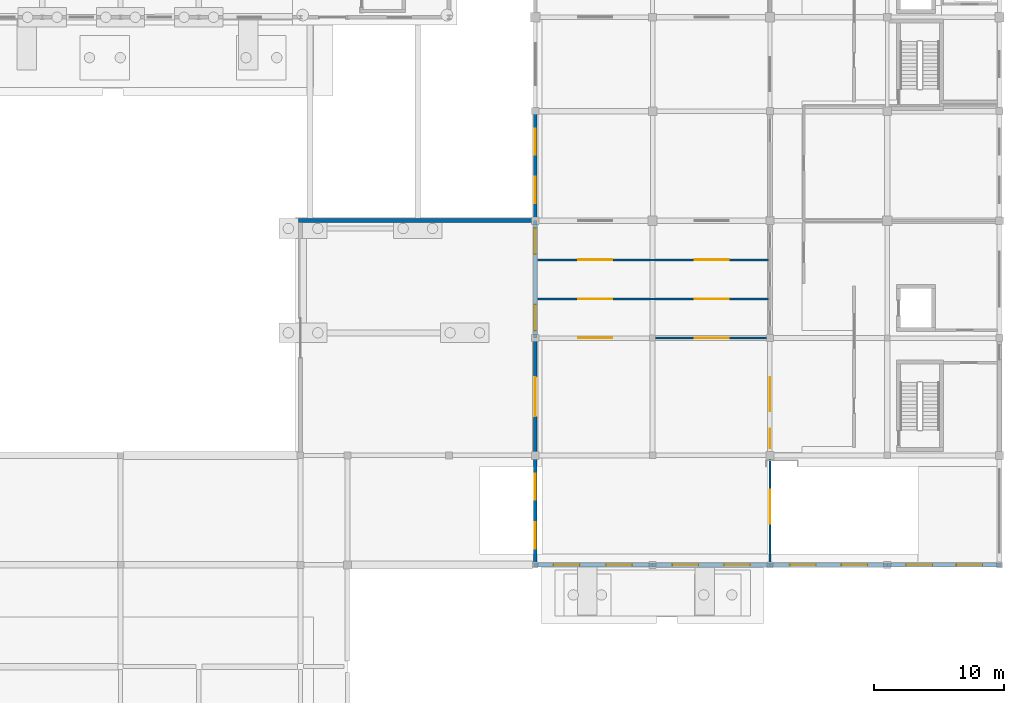
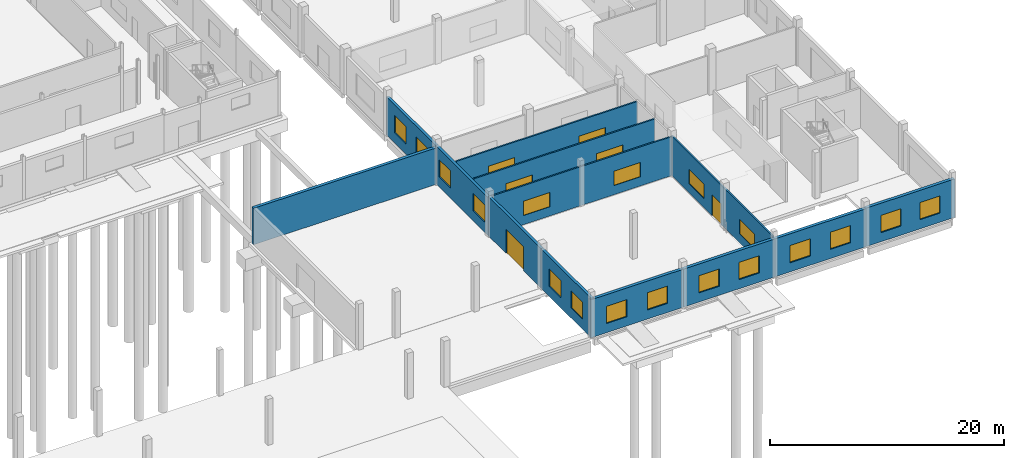
# One storey, part 73 of 91: 22 windows, 13 walls, 2 doors, 24 openings.
"""IFC4 building model written with IfcOpenShell, lengths in metres."""

import ifcopenshell
import ifcopenshell.guid

model = None  # the IFC model being written
_history = None  # IfcOwnerHistory: only IFC2X3 demands one
_inside = {}  # id of a spatial element -> (the spatial element, [elements in it])
_under = {}  # id of a project, library or spatial element -> (it, [spatial elements below it])
_declared = {}  # id of a project -> (the project, [libraries it declares])
_typed = {}  # id of a type object -> (the type object, [elements of that type])
_made_of = {}  # id of a material, layer set ... -> (it, [elements and type objects made of it])


def new_model(schema):
    """Start an empty IFC model of exactly this schema.

    Asked for "IFC4X3", IfcOpenShell would pick the latest addendum, in which some entities
    have other attributes; the version numbers below select the first issue.
    IFC2X3 requires an IfcOwnerHistory on every rooted entity: one is made here for all.
    """
    global model, _history
    if schema == "IFC4X3":
        model = ifcopenshell.file(schema_version=(4, 3, 0, 0))
    else:
        model = ifcopenshell.file(schema=schema)
    _inside.clear()
    _under.clear()
    _declared.clear()
    _typed.clear()
    _made_of.clear()
    _history = None
    if model.schema == "IFC2X3":
        org = make("IfcOrganization", Name="unknown")
        user = make(
            "IfcPersonAndOrganization",
            ThePerson=make("IfcPerson", FamilyName="unknown"),
            TheOrganization=org,
        )
        app = make(
            "IfcApplication",
            ApplicationDeveloper=org,
            Version="unknown",
            ApplicationFullName="unknown",
            ApplicationIdentifier="unknown",
        )
        _history = make(
            "IfcOwnerHistory",
            OwningUser=user,
            OwningApplication=app,
            ChangeAction="ADDED",
            CreationDate=0,
        )
    return model


def make(cls, **values):
    """One entity of the class cls with the attributes given. An attribute that is None is left unset."""
    return model.create_entity(
        cls, **{name: value for name, value in values.items() if value is not None}
    )


def rooted(cls, **values):
    """An entity with a GlobalId (a new one), such as an element, a storey or a relation."""
    return make(cls, GlobalId=ifcopenshell.guid.new(), OwnerHistory=_history, **values)


def si_unit(unit_type, name, prefix=None):
    """IfcSIUnit, for example si_unit("LENGTHUNIT", "METRE", prefix="MILLI")."""
    return make("IfcSIUnit", UnitType=unit_type, Prefix=prefix, Name=name)


def assignment(units):
    """IfcUnitAssignment: the units of a project."""
    return None if units is None else make("IfcUnitAssignment", Units=units)


def point(xyz):
    """IfcCartesianPoint."""
    return None if xyz is None else make("IfcCartesianPoint", Coordinates=xyz)


def direction(xyz):
    """IfcDirection."""
    return None if xyz is None else make("IfcDirection", DirectionRatios=xyz)


def frame(location, z_axis=None, x_axis=None):
    """IfcAxis2Placement3D, a coordinate frame: its origin and axes. An axis left out is left unset."""
    return make(
        "IfcAxis2Placement3D",
        Location=point(location),
        Axis=direction(z_axis),
        RefDirection=direction(x_axis),
    )


def frame_2d(location, x_axis=None):
    """IfcAxis2Placement2D, a coordinate frame in the plane: its origin and x axis."""
    return make(
        "IfcAxis2Placement2D", Location=point(location), RefDirection=direction(x_axis)
    )


def origin():
    """The frame at (0, 0, 0) with its axes left unset."""
    return frame((0.0, 0.0, 0.0))


def place(relative_to, where):
    """IfcLocalPlacement: puts the frame where relative to a parent placement (None: the world)."""
    return make(
        "IfcLocalPlacement", PlacementRelTo=relative_to, RelativePlacement=where
    )


def context(
    kind, dimensions, precision=None, world=None, true_north=None, identifier=None
):
    """IfcGeometricRepresentationContext, for example the 3D "Model" context."""
    return make(
        "IfcGeometricRepresentationContext",
        ContextIdentifier=identifier,
        ContextType=kind,
        CoordinateSpaceDimension=dimensions,
        Precision=precision,
        WorldCoordinateSystem=world,
        TrueNorth=true_north,
    )


def subcontext(parent, identifier, kind, view, scale=None):
    """IfcGeometricRepresentationSubContext, for example "Body" below "Model"."""
    return make(
        "IfcGeometricRepresentationSubContext",
        ContextIdentifier=identifier,
        ContextType=kind,
        ParentContext=parent,
        TargetScale=scale,
        TargetView=view,
    )


def project(units=None, contexts=None):
    """IfcProject with its units and contexts."""
    return rooted(
        "IfcProject",
        Name="project",
        RepresentationContexts=contexts,
        UnitsInContext=assignment(units),
    )


def spatial(cls, under=None, at=None, **own):
    """A site, building, storey or space (cls), placed at a placement, below another one or the project."""
    s = rooted(cls, ObjectPlacement=at, **own)
    if under is not None:
        _under.setdefault(under.id(), (under, []))[1].append(s)
    return s


def profile(cls, at=None, kind="AREA", **sizes):
    """A parametric profile (cls). Its sizes go by their IFC names, for example OverallWidth=200.0."""
    return make(cls, ProfileType=kind, Position=at, **sizes)


def rectangle(**sizes):
    """IfcRectangleProfileDef."""
    return profile("IfcRectangleProfileDef", **sizes)


def extrude(swept, where, along, depth):
    """IfcExtrudedAreaSolid: the profile swept, set in the frame where, extruded along a direction by depth."""
    return make(
        "IfcExtrudedAreaSolid",
        SweptArea=swept,
        Position=where,
        ExtrudedDirection=direction(along),
        Depth=depth,
    )


def shape(context_of_items, identifier, shape_type, items):
    """IfcShapeRepresentation: the items that make up one representation, for example the "Body"."""
    return make(
        "IfcShapeRepresentation",
        ContextOfItems=context_of_items,
        RepresentationIdentifier=identifier,
        RepresentationType=shape_type,
        Items=items,
    )


def material(Name=None, Category=None):
    """IfcMaterial."""
    return make("IfcMaterial", Name=Name, Category=Category)


def layer(
    of_material, thickness, ventilated=None, Name=None, Category=None, Priority=None
):
    """IfcMaterialLayer: one layer of a wall or slab, of a material (None: an air gap)."""
    return make(
        "IfcMaterialLayer",
        Material=of_material,
        LayerThickness=thickness,
        IsVentilated=ventilated,
        Name=Name,
        Category=Category,
        Priority=Priority,
    )


def layer_set(layers, Name=None):
    """IfcMaterialLayerSet."""
    return make("IfcMaterialLayerSet", MaterialLayers=layers, LayerSetName=Name)


def made_of(thing, what):
    """Note that an element or type object is made of a material, layer set ...; save() writes the relation."""
    if what is not None:
        _made_of.setdefault(what.id(), (what, []))[1].append(thing)
    return thing


def type_object(cls, material=None, **own):
    """A type object (cls), such as IfcWallType, which elements share."""
    return made_of(rooted(cls, **own), material)


def element(
    cls,
    number,
    at=None,
    inside=None,
    cuts=None,
    type_object=None,
    material=None,
    context=None,
    identifier="Body",
    shape_type=None,
    held_by="IfcProductDefinitionShape",
    body=None,
    shapes=None,
    **own,
):
    """One element of the class cls, such as IfcWall. Its Tag is "e" and its number.

    at: its placement. inside: the storey or other place that contains it. cuts: it is an
    opening in that element (IfcRelVoidsElement). A single representation is given by context,
    identifier, shape_type and body (its items); several are given by shapes. held_by: the class
    of the entity that holds the representations. save() writes the other relations.
    """
    e = rooted(cls, Tag="e%d" % number, ObjectPlacement=at, **own)
    if body is not None:
        shapes = [shape(context, identifier, shape_type, body)]
    if shapes is not None:
        e.Representation = make(held_by, Representations=shapes)
    if inside is not None:
        _inside.setdefault(inside.id(), (inside, []))[1].append(e)
    if cuts is not None:
        rooted(
            "IfcRelVoidsElement", RelatingBuildingElement=cuts, RelatedOpeningElement=e
        )
    if type_object is not None:
        _typed.setdefault(type_object.id(), (type_object, []))[1].append(e)
    return made_of(e, material)


def fill(opening, filler):
    """IfcRelFillsElement: the door or window that sits in an opening."""
    return rooted(
        "IfcRelFillsElement",
        RelatingOpeningElement=opening,
        RelatedBuildingElement=filler,
    )


def aggregate(whole, parts):
    """IfcRelAggregates: a whole, such as a stair, and the parts it consists of."""
    return rooted("IfcRelAggregates", RelatingObject=whole, RelatedObjects=parts)


def save(model, path):
    """Write the relations noted so far, then the file.

    IfcRelAggregates (storeys below a building ...), IfcRelContainedInSpatialStructure (elements
    in a storey), IfcRelDefinesByType, IfcRelAssociatesMaterial and IfcRelDeclares: one each for
    every whole, place, type object, material and project.
    """
    for whole, parts in _under.values():
        aggregate(whole, parts)
    for where, things in _inside.values():
        rooted(
            "IfcRelContainedInSpatialStructure",
            RelatedElements=things,
            RelatingStructure=where,
        )
    for kind, things in _typed.values():
        rooted("IfcRelDefinesByType", RelatedObjects=things, RelatingType=kind)
    for what, things in _made_of.values():
        rooted("IfcRelAssociatesMaterial", RelatedObjects=things, RelatingMaterial=what)
    for by, libraries in _declared.values():
        rooted("IfcRelDeclares", RelatingContext=by, RelatedDefinitions=libraries)
    model.write(path)


model = new_model("IFC4")

# Units and contexts
model_context = context("Model", 3, precision=1e-05, world=origin(), true_north=direction((0.0, 1.0)))
body_context = subcontext(model_context, "Body", "Model", "MODEL_VIEW")
ifc_project = project(units=[si_unit("LENGTHUNIT", "METRE"), si_unit("AREAUNIT", "SQUARE_METRE"), si_unit("VOLUMEUNIT", "CUBIC_METRE"), si_unit("PLANEANGLEUNIT", "RADIAN"), si_unit("MASSUNIT", "GRAM", prefix="KILO")], contexts=[model_context])

# Site, building, storey
site_placement = place(None, origin())
site = spatial("IfcSite", under=ifc_project, at=site_placement, CompositionType="ELEMENT")
building_placement = place(site_placement, origin())
building = spatial("IfcBuilding", under=site, at=building_placement, Name="Vinh Khe Railworks Police Headquarters", CompositionType="ELEMENT")
storey_placement = place(building_placement, origin())
storey = spatial("IfcBuildingStorey", under=building, at=storey_placement, Name="L00", CompositionType="ELEMENT", Elevation=0.0)

# Wall, openings, windows
ifc_material_1 = material(Name="Clay brickwork", Category="masonry")
ifc_layer_1 = layer(ifc_material_1, 0.260009765625)
ifc_layer_set_1 = layer_set([ifc_layer_1], Name="Clay brickwork")
wall_type_1 = type_object("IfcWallType", Name="EW-BRK-260", PredefinedType="SOLIDWALL", material=ifc_layer_set_1)
wall_1_placement = place(storey_placement, frame((78.0, 95.8701171875, 0.0), z_axis=(0.0, 0.0, 1.0), x_axis=(0.0, 1.0, 0.0)))
wall_1 = element("IfcWall", 1, at=wall_1_placement, inside=storey, type_object=wall_type_1, Name="Exterior Brick Wall EW-L00-V6W-01", PredefinedType="SOLIDWALL", context=body_context, shape_type="SweptSolid", body=[
    extrude(rectangle(XDim=8.52978515625, YDim=0.260009765625, at=frame_2d((4.264892578125, 0.0))), origin(), (0.0, 0.0, 1.0), 4.114990234375),
])
opening_1_placement = place(wall_1_placement, frame((1.388427734375, 0.0, 1.050048828125)))
opening_1 = element("IfcOpeningElement", 2, at=opening_1_placement, cuts=wall_1, Name="Opening WN-04", PredefinedType="OPENING", context=body_context, shape_type="SweptSolid", body=[
    extrude(rectangle(XDim=2.0, YDim=1.800048828125, at=frame_2d((1.0, 0.89990234375))), frame((0.0, 0.14501953125, 0.0), z_axis=(0.0, -1.0, 0.0), x_axis=(1.0, 0.0, 0.0)), (0.0, 0.0, 1.0), 0.289794921875),
])
opening_2_placement = place(wall_1_placement, frame((5.1416015625, 0.0, 1.050048828125)))
opening_2 = element("IfcOpeningElement", 3, at=opening_2_placement, cuts=wall_1, Name="Opening WN-04", PredefinedType="OPENING", context=body_context, shape_type="SweptSolid", body=[
    extrude(rectangle(XDim=2.0, YDim=1.800048828125, at=frame_2d((1.0, 0.89990234375))), frame((0.0, 0.14501953125, 0.0), z_axis=(0.0, -1.0, 0.0), x_axis=(1.0, 0.0, 0.0)), (0.0, 0.0, 1.0), 0.289794921875),
])
ifc_material_2 = material(Name="Double-glazed solar-control glass in dark steel frame", Category="steel")
window_type_1 = type_object("IfcWindowType", Name="WIN-WN-04", PartitioningType="DOUBLE_PANEL_VERTICAL", PredefinedType="WINDOW", material=ifc_material_2)
window_1_placement = place(opening_1_placement, origin())
window_1 = element("IfcWindow", 4, at=window_1_placement, inside=storey, type_object=window_type_1, Name="Casement Window WN-04", OverallHeight=1.800048828125, OverallWidth=2.0, PartitioningType="SINGLE_PANEL", PredefinedType="WINDOW", context=body_context, shape_type="SweptSolid", body=[
    extrude(rectangle(XDim=2.0, YDim=1.800048828125, at=frame_2d((1.0, 0.89990234375))), frame((0.0, 0.030029296875, 0.0), z_axis=(0.0, -1.0, 0.0), x_axis=(1.0, 0.0, 0.0)), (0.0, 0.0, 1.0), 0.06005859375),
])
fill(opening_1, window_1)
window_2_placement = place(opening_2_placement, origin())
window_2 = element("IfcWindow", 5, at=window_2_placement, inside=storey, type_object=window_type_1, Name="Casement Window WN-04", OverallHeight=1.800048828125, OverallWidth=2.0, PartitioningType="SINGLE_PANEL", PredefinedType="WINDOW", context=body_context, shape_type="SweptSolid", body=[
    extrude(rectangle(XDim=2.0, YDim=1.800048828125, at=frame_2d((1.0, 0.89990234375))), frame((0.0, 0.030029296875, 0.0), z_axis=(0.0, -1.0, 0.0), x_axis=(1.0, 0.0, 0.0)), (0.0, 0.0, 1.0), 0.06005859375),
])
fill(opening_2, window_2)

# Wall, opening, door
wall_2_placement = place(storey_placement, frame((78.0, 104.39990234375, 0.0), z_axis=(0.0, 0.0, 1.0), x_axis=(0.0, 1.0, 0.0)))
wall_2 = element("IfcWall", 6, at=wall_2_placement, inside=storey, type_object=wall_type_1, Name="Exterior Brick Wall EW-L00-V6W-02", PredefinedType="SOLIDWALL", context=body_context, shape_type="SweptSolid", body=[
    extrude(rectangle(XDim=9.0, YDim=0.260009765625, at=frame_2d((4.5, 0.0))), origin(), (0.0, 0.0, 1.0), 4.114990234375),
])
opening_3_placement = place(wall_2_placement, frame((3.0, 0.0, 0.0)))
opening_3 = element("IfcOpeningElement", 7, at=opening_3_placement, cuts=wall_2, Name="Opening VG-03", PredefinedType="OPENING", context=body_context, shape_type="SweptSolid", body=[
    extrude(rectangle(XDim=3.0, YDim=2.5, at=frame_2d((1.5, 1.25))), frame((0.0, 0.14501953125, 0.0), z_axis=(0.0, -1.0, 0.0), x_axis=(1.0, 0.0, 0.0)), (0.0, 0.0, 1.0), 0.289794921875),
])
ifc_material_3 = material(Name="Weathered steel security bar gate", Category="steel")
door_type_1 = type_object("IfcDoorType", Name="VG-YARD-3000", OperationType="DOUBLE_DOOR_SLIDING", PredefinedType="GATE", material=ifc_material_3)
door_1_placement = place(opening_3_placement, origin())
door_1 = element("IfcDoor", 8, at=door_1_placement, inside=storey, type_object=door_type_1, Name="Custody Exercise Yard Security Gate VG-04", OperationType="DOUBLE_DOOR_SLIDING", OverallHeight=2.5, OverallWidth=3.0, PredefinedType="GATE", context=body_context, shape_type="SweptSolid", body=[
    extrude(rectangle(XDim=3.0, YDim=2.5, at=frame_2d((1.5, 1.25))), frame((0.0, 0.02490234375, 0.0), z_axis=(0.0, -1.0, 0.0), x_axis=(1.0, 0.0, 0.0)), (0.0, 0.0, 1.0), 0.050048828125),
])
fill(opening_3, door_1)

# Wall, openings, windows
wall_3_placement = place(storey_placement, frame((78.0, 113.39990234375, 0.0), z_axis=(0.0, 0.0, 1.0), x_axis=(0.0, 1.0, 0.0)))
wall_3 = element("IfcWall", 9, at=wall_3_placement, inside=storey, type_object=wall_type_1, Name="Exterior Brick Wall EW-L00-V6W-03", PredefinedType="SOLIDWALL", context=body_context, shape_type="SweptSolid", body=[
    extrude(rectangle(XDim=9.0, YDim=0.260009765625, at=frame_2d((4.5, 0.0))), origin(), (0.0, 0.0, 1.0), 3.965087890625),
])
opening_4_placement = place(wall_3_placement, frame((0.570068359375, 0.0, 1.050048828125)))
opening_4 = element("IfcOpeningElement", 10, at=opening_4_placement, cuts=wall_3, Name="Opening WN-04", PredefinedType="OPENING", context=body_context, shape_type="SweptSolid", body=[
    extrude(rectangle(XDim=2.0, YDim=1.800048828125, at=frame_2d((1.0, 0.89990234375))), frame((0.0, 0.14501953125, 0.0), z_axis=(0.0, -1.0, 0.0), x_axis=(1.0, 0.0, 0.0)), (0.0, 0.0, 1.0), 0.289794921875),
])
opening_5_placement = place(wall_3_placement, frame((6.429931640625, 0.0, 1.050048828125)))
opening_5 = element("IfcOpeningElement", 11, at=opening_5_placement, cuts=wall_3, Name="Opening WN-04", PredefinedType="OPENING", context=body_context, shape_type="SweptSolid", body=[
    extrude(rectangle(XDim=2.0, YDim=1.800048828125, at=frame_2d((1.0, 0.89990234375))), frame((0.0, 0.14501953125, 0.0), z_axis=(0.0, -1.0, 0.0), x_axis=(1.0, 0.0, 0.0)), (0.0, 0.0, 1.0), 0.289794921875),
])
window_3_placement = place(opening_4_placement, origin())
window_3 = element("IfcWindow", 12, at=window_3_placement, inside=storey, type_object=window_type_1, Name="Casement Window WN-04", OverallHeight=1.800048828125, OverallWidth=2.0, PartitioningType="SINGLE_PANEL", PredefinedType="WINDOW", context=body_context, shape_type="SweptSolid", body=[
    extrude(rectangle(XDim=2.0, YDim=1.800048828125, at=frame_2d((1.0, 0.89990234375))), frame((0.0, 0.030029296875, 0.0), z_axis=(0.0, -1.0, 0.0), x_axis=(1.0, 0.0, 0.0)), (0.0, 0.0, 1.0), 0.06005859375),
])
fill(opening_4, window_3)
window_4_placement = place(opening_5_placement, origin())
window_4 = element("IfcWindow", 13, at=window_4_placement, inside=storey, type_object=window_type_1, Name="Casement Window WN-04", OverallHeight=1.800048828125, OverallWidth=2.0, PartitioningType="SINGLE_PANEL", PredefinedType="WINDOW", context=body_context, shape_type="SweptSolid", body=[
    extrude(rectangle(XDim=2.0, YDim=1.800048828125, at=frame_2d((1.0, 0.89990234375))), frame((0.0, 0.030029296875, 0.0), z_axis=(0.0, -1.0, 0.0), x_axis=(1.0, 0.0, 0.0)), (0.0, 0.0, 1.0), 0.06005859375),
])
fill(opening_5, window_4)

wall_4_placement = place(storey_placement, frame((78.0, 122.39990234375, 0.0), z_axis=(0.0, 0.0, 1.0), x_axis=(0.0, 1.0, 0.0)))
wall_4 = element("IfcWall", 14, at=wall_4_placement, inside=storey, type_object=wall_type_1, Name="Exterior Brick Wall EW-L00-V6W-04", PredefinedType="SOLIDWALL", context=body_context, shape_type="SweptSolid", body=[
    extrude(rectangle(XDim=8.400146484375, YDim=0.260009765625, at=frame_2d((4.2001953125, 0.0))), origin(), (0.0, 0.0, 1.0), 3.965087890625),
])
opening_6_placement = place(wall_4_placement, frame((1.35205078125, 0.0, 1.050048828125)))
opening_6 = element("IfcOpeningElement", 15, at=opening_6_placement, cuts=wall_4, Name="Opening WN-04", PredefinedType="OPENING", context=body_context, shape_type="SweptSolid", body=[
    extrude(rectangle(XDim=2.0, YDim=1.800048828125, at=frame_2d((1.0, 0.89990234375))), frame((0.0, 0.14501953125, 0.0), z_axis=(0.0, -1.0, 0.0), x_axis=(1.0, 0.0, 0.0)), (0.0, 0.0, 1.0), 0.289794921875),
])
opening_7_placement = place(wall_4_placement, frame((5.048095703125, 0.0, 1.050048828125)))
opening_7 = element("IfcOpeningElement", 16, at=opening_7_placement, cuts=wall_4, Name="Opening WN-04", PredefinedType="OPENING", context=body_context, shape_type="SweptSolid", body=[
    extrude(rectangle(XDim=2.0, YDim=1.800048828125, at=frame_2d((1.0, 0.89990234375))), frame((0.0, 0.14501953125, 0.0), z_axis=(0.0, -1.0, 0.0), x_axis=(1.0, 0.0, 0.0)), (0.0, 0.0, 1.0), 0.289794921875),
])
window_5_placement = place(opening_6_placement, origin())
window_5 = element("IfcWindow", 17, at=window_5_placement, inside=storey, type_object=window_type_1, Name="Casement Window WN-04", OverallHeight=1.800048828125, OverallWidth=2.0, PartitioningType="SINGLE_PANEL", PredefinedType="WINDOW", context=body_context, shape_type="SweptSolid", body=[
    extrude(rectangle(XDim=2.0, YDim=1.800048828125, at=frame_2d((1.0, 0.89990234375))), frame((0.0, 0.030029296875, 0.0), z_axis=(0.0, -1.0, 0.0), x_axis=(1.0, 0.0, 0.0)), (0.0, 0.0, 1.0), 0.06005859375),
])
fill(opening_6, window_5)
window_6_placement = place(opening_7_placement, origin())
window_6 = element("IfcWindow", 18, at=window_6_placement, inside=storey, type_object=window_type_1, Name="Casement Window WN-04", OverallHeight=1.800048828125, OverallWidth=2.0, PartitioningType="SINGLE_PANEL", PredefinedType="WINDOW", context=body_context, shape_type="SweptSolid", body=[
    extrude(rectangle(XDim=2.0, YDim=1.800048828125, at=frame_2d((1.0, 0.89990234375))), frame((0.0, 0.030029296875, 0.0), z_axis=(0.0, -1.0, 0.0), x_axis=(1.0, 0.0, 0.0)), (0.0, 0.0, 1.0), 0.06005859375),
])
fill(opening_7, window_6)

ifc_layer_2 = layer(ifc_material_1, 0.300048828125)
ifc_layer_set_2 = layer_set([ifc_layer_2], Name="Clay brickwork")
wall_type_2 = type_object("IfcWallType", Name="EW-BRK-300", PredefinedType="SOLIDWALL", material=ifc_layer_set_2)
wall_5_placement = place(storey_placement, frame((77.85009765625, 96.0, 0.0), z_axis=(0.0, 0.0, 1.0), x_axis=(1.0, 0.0, 0.0)))
wall_5 = element("IfcWall", 19, at=wall_5_placement, inside=storey, type_object=wall_type_2, Name="Exterior Brick Wall EW-L00-V6S-01", PredefinedType="SOLIDWALL", context=body_context, shape_type="SweptSolid", body=[
    extrude(rectangle(XDim=9.14990234375, YDim=0.300048828125, at=frame_2d((4.574951171875, 0.0))), origin(), (0.0, 0.0, 1.0), 3.965087890625),
])
opening_8_placement = place(wall_5_placement, frame((1.56201171875, 0.0, 0.949951171875)))
opening_8 = element("IfcOpeningElement", 20, at=opening_8_placement, cuts=wall_5, Name="Opening WN-04", PredefinedType="OPENING", context=body_context, shape_type="SweptSolid", body=[
    extrude(rectangle(XDim=2.0, YDim=1.800048828125, at=frame_2d((1.0, 0.89990234375))), frame((0.0, 0.1650390625, 0.0), z_axis=(0.0, -1.0, 0.0), x_axis=(1.0, 0.0, 0.0)), (0.0, 0.0, 1.0), 0.329833984375),
])
opening_9_placement = place(wall_5_placement, frame((5.587890625, 0.0, 0.949951171875)))
opening_9 = element("IfcOpeningElement", 21, at=opening_9_placement, cuts=wall_5, Name="Opening WN-04", PredefinedType="OPENING", context=body_context, shape_type="SweptSolid", body=[
    extrude(rectangle(XDim=2.0, YDim=1.800048828125, at=frame_2d((1.0, 0.89990234375))), frame((0.0, 0.1650390625, 0.0), z_axis=(0.0, -1.0, 0.0), x_axis=(1.0, 0.0, 0.0)), (0.0, 0.0, 1.0), 0.329833984375),
])
window_7_placement = place(opening_8_placement, origin())
window_7 = element("IfcWindow", 22, at=window_7_placement, inside=storey, type_object=window_type_1, Name="Casement Window WN-04", OverallHeight=1.800048828125, OverallWidth=2.0, PartitioningType="SINGLE_PANEL", PredefinedType="WINDOW", context=body_context, shape_type="SweptSolid", body=[
    extrude(rectangle(XDim=2.0, YDim=1.800048828125, at=frame_2d((1.0, 0.89990234375))), frame((0.0, 0.030029296875, 0.0), z_axis=(0.0, -1.0, 0.0), x_axis=(1.0, 0.0, 0.0)), (0.0, 0.0, 1.0), 0.06005859375),
])
fill(opening_8, window_7)
window_8_placement = place(opening_9_placement, origin())
window_8 = element("IfcWindow", 23, at=window_8_placement, inside=storey, type_object=window_type_1, Name="Casement Window WN-04", OverallHeight=1.800048828125, OverallWidth=2.0, PartitioningType="SINGLE_PANEL", PredefinedType="WINDOW", context=body_context, shape_type="SweptSolid", body=[
    extrude(rectangle(XDim=2.0, YDim=1.800048828125, at=frame_2d((1.0, 0.89990234375))), frame((0.0, 0.030029296875, 0.0), z_axis=(0.0, -1.0, 0.0), x_axis=(1.0, 0.0, 0.0)), (0.0, 0.0, 1.0), 0.06005859375),
])
fill(opening_9, window_8)

wall_6_placement = place(storey_placement, frame((87.0, 96.0, 0.0), z_axis=(0.0, 0.0, 1.0), x_axis=(1.0, 0.0, 0.0)))
wall_6 = element("IfcWall", 24, at=wall_6_placement, inside=storey, type_object=wall_type_2, Name="Exterior Brick Wall EW-L00-V6S-02", PredefinedType="SOLIDWALL", context=body_context, shape_type="SweptSolid", body=[
    extrude(rectangle(XDim=9.0, YDim=0.300048828125, at=frame_2d((4.5, 0.0))), origin(), (0.0, 0.0, 1.0), 3.965087890625),
])
opening_10_placement = place(wall_6_placement, frame((1.52001953125, 0.0, 0.949951171875)))
opening_10 = element("IfcOpeningElement", 25, at=opening_10_placement, cuts=wall_6, Name="Opening WN-04", PredefinedType="OPENING", context=body_context, shape_type="SweptSolid", body=[
    extrude(rectangle(XDim=2.0, YDim=1.800048828125, at=frame_2d((1.0, 0.89990234375))), frame((0.0, 0.1650390625, 0.0), z_axis=(0.0, -1.0, 0.0), x_axis=(1.0, 0.0, 0.0)), (0.0, 0.0, 1.0), 0.329833984375),
])
opening_11_placement = place(wall_6_placement, frame((5.47998046875, 0.0, 0.949951171875)))
opening_11 = element("IfcOpeningElement", 26, at=opening_11_placement, cuts=wall_6, Name="Opening WN-04", PredefinedType="OPENING", context=body_context, shape_type="SweptSolid", body=[
    extrude(rectangle(XDim=2.0, YDim=1.800048828125, at=frame_2d((1.0, 0.89990234375))), frame((0.0, 0.1650390625, 0.0), z_axis=(0.0, -1.0, 0.0), x_axis=(1.0, 0.0, 0.0)), (0.0, 0.0, 1.0), 0.329833984375),
])
window_9_placement = place(opening_10_placement, origin())
window_9 = element("IfcWindow", 27, at=window_9_placement, inside=storey, type_object=window_type_1, Name="Casement Window WN-04", OverallHeight=1.800048828125, OverallWidth=2.0, PartitioningType="SINGLE_PANEL", PredefinedType="WINDOW", context=body_context, shape_type="SweptSolid", body=[
    extrude(rectangle(XDim=2.0, YDim=1.800048828125, at=frame_2d((1.0, 0.89990234375))), frame((0.0, 0.030029296875, 0.0), z_axis=(0.0, -1.0, 0.0), x_axis=(1.0, 0.0, 0.0)), (0.0, 0.0, 1.0), 0.06005859375),
])
fill(opening_10, window_9)
window_10_placement = place(opening_11_placement, origin())
window_10 = element("IfcWindow", 28, at=window_10_placement, inside=storey, type_object=window_type_1, Name="Casement Window WN-04", OverallHeight=1.800048828125, OverallWidth=2.0, PartitioningType="SINGLE_PANEL", PredefinedType="WINDOW", context=body_context, shape_type="SweptSolid", body=[
    extrude(rectangle(XDim=2.0, YDim=1.800048828125, at=frame_2d((1.0, 0.89990234375))), frame((0.0, 0.030029296875, 0.0), z_axis=(0.0, -1.0, 0.0), x_axis=(1.0, 0.0, 0.0)), (0.0, 0.0, 1.0), 0.06005859375),
])
fill(opening_11, window_10)

wall_7_placement = place(storey_placement, frame((96.0, 96.0, 0.0), z_axis=(0.0, 0.0, 1.0), x_axis=(1.0, 0.0, 0.0)))
wall_7 = element("IfcWall", 29, at=wall_7_placement, inside=storey, type_object=wall_type_2, Name="Exterior Brick Wall EW-L00-V6S-03", PredefinedType="SOLIDWALL", context=body_context, shape_type="SweptSolid", body=[
    extrude(rectangle(XDim=9.0, YDim=0.300048828125, at=frame_2d((4.5, 0.0))), origin(), (0.0, 0.0, 1.0), 3.965087890625),
])
opening_12_placement = place(wall_7_placement, frame((1.52001953125, 0.0, 0.949951171875)))
opening_12 = element("IfcOpeningElement", 30, at=opening_12_placement, cuts=wall_7, Name="Opening WN-04", PredefinedType="OPENING", context=body_context, shape_type="SweptSolid", body=[
    extrude(rectangle(XDim=2.0, YDim=1.800048828125, at=frame_2d((1.0, 0.89990234375))), frame((0.0, 0.1650390625, 0.0), z_axis=(0.0, -1.0, 0.0), x_axis=(1.0, 0.0, 0.0)), (0.0, 0.0, 1.0), 0.329833984375),
])
opening_13_placement = place(wall_7_placement, frame((5.47998046875, 0.0, 0.949951171875)))
opening_13 = element("IfcOpeningElement", 31, at=opening_13_placement, cuts=wall_7, Name="Opening WN-04", PredefinedType="OPENING", context=body_context, shape_type="SweptSolid", body=[
    extrude(rectangle(XDim=2.0, YDim=1.800048828125, at=frame_2d((1.0, 0.89990234375))), frame((0.0, 0.1650390625, 0.0), z_axis=(0.0, -1.0, 0.0), x_axis=(1.0, 0.0, 0.0)), (0.0, 0.0, 1.0), 0.329833984375),
])
window_11_placement = place(opening_12_placement, origin())
window_11 = element("IfcWindow", 32, at=window_11_placement, inside=storey, type_object=window_type_1, Name="Casement Window WN-04", OverallHeight=1.800048828125, OverallWidth=2.0, PartitioningType="SINGLE_PANEL", PredefinedType="WINDOW", context=body_context, shape_type="SweptSolid", body=[
    extrude(rectangle(XDim=2.0, YDim=1.800048828125, at=frame_2d((1.0, 0.89990234375))), frame((0.0, 0.030029296875, 0.0), z_axis=(0.0, -1.0, 0.0), x_axis=(1.0, 0.0, 0.0)), (0.0, 0.0, 1.0), 0.06005859375),
])
fill(opening_12, window_11)
window_12_placement = place(opening_13_placement, origin())
window_12 = element("IfcWindow", 33, at=window_12_placement, inside=storey, type_object=window_type_1, Name="Casement Window WN-04", OverallHeight=1.800048828125, OverallWidth=2.0, PartitioningType="SINGLE_PANEL", PredefinedType="WINDOW", context=body_context, shape_type="SweptSolid", body=[
    extrude(rectangle(XDim=2.0, YDim=1.800048828125, at=frame_2d((1.0, 0.89990234375))), frame((0.0, 0.030029296875, 0.0), z_axis=(0.0, -1.0, 0.0), x_axis=(1.0, 0.0, 0.0)), (0.0, 0.0, 1.0), 0.06005859375),
])
fill(opening_13, window_12)

wall_8_placement = place(storey_placement, frame((105.0, 96.0, 0.0), z_axis=(0.0, 0.0, 1.0), x_axis=(1.0, 0.0, 0.0)))
wall_8 = element("IfcWall", 34, at=wall_8_placement, inside=storey, type_object=wall_type_2, Name="Exterior Brick Wall EW-L00-V6S-04", PredefinedType="SOLIDWALL", context=body_context, shape_type="SweptSolid", body=[
    extrude(rectangle(XDim=8.75, YDim=0.300048828125, at=frame_2d((4.375, 0.0))), origin(), (0.0, 0.0, 1.0), 4.014892578125),
])
opening_14_placement = place(wall_8_placement, frame((1.449951171875, 0.0, 0.949951171875)))
opening_14 = element("IfcOpeningElement", 35, at=opening_14_placement, cuts=wall_8, Name="Opening WN-04", PredefinedType="OPENING", context=body_context, shape_type="SweptSolid", body=[
    extrude(rectangle(XDim=2.0, YDim=1.800048828125, at=frame_2d((1.0, 0.89990234375))), frame((0.0, 0.1650390625, 0.0), z_axis=(0.0, -1.0, 0.0), x_axis=(1.0, 0.0, 0.0)), (0.0, 0.0, 1.0), 0.329833984375),
])
opening_15_placement = place(wall_8_placement, frame((5.300048828125, 0.0, 0.949951171875)))
opening_15 = element("IfcOpeningElement", 36, at=opening_15_placement, cuts=wall_8, Name="Opening WN-04", PredefinedType="OPENING", context=body_context, shape_type="SweptSolid", body=[
    extrude(rectangle(XDim=2.0, YDim=1.800048828125, at=frame_2d((1.0, 0.89990234375))), frame((0.0, 0.1650390625, 0.0), z_axis=(0.0, -1.0, 0.0), x_axis=(1.0, 0.0, 0.0)), (0.0, 0.0, 1.0), 0.329833984375),
])
window_13_placement = place(opening_14_placement, origin())
window_13 = element("IfcWindow", 37, at=window_13_placement, inside=storey, type_object=window_type_1, Name="Casement Window WN-04", OverallHeight=1.800048828125, OverallWidth=2.0, PartitioningType="SINGLE_PANEL", PredefinedType="WINDOW", context=body_context, shape_type="SweptSolid", body=[
    extrude(rectangle(XDim=2.0, YDim=1.800048828125, at=frame_2d((1.0, 0.89990234375))), frame((0.0, 0.030029296875, 0.0), z_axis=(0.0, -1.0, 0.0), x_axis=(1.0, 0.0, 0.0)), (0.0, 0.0, 1.0), 0.06005859375),
])
fill(opening_14, window_13)
window_14_placement = place(opening_15_placement, origin())
window_14 = element("IfcWindow", 38, at=window_14_placement, inside=storey, type_object=window_type_1, Name="Casement Window WN-04", OverallHeight=1.800048828125, OverallWidth=2.0, PartitioningType="SINGLE_PANEL", PredefinedType="WINDOW", context=body_context, shape_type="SweptSolid", body=[
    extrude(rectangle(XDim=2.0, YDim=1.800048828125, at=frame_2d((1.0, 0.89990234375))), frame((0.0, 0.030029296875, 0.0), z_axis=(0.0, -1.0, 0.0), x_axis=(1.0, 0.0, 0.0)), (0.0, 0.0, 1.0), 0.06005859375),
])
fill(opening_15, window_14)

# Wall
wall_9_placement = place(storey_placement, frame((59.85009765625, 122.39990234375, 0.0), z_axis=(0.0, 0.0, 1.0), x_axis=(1.0, 0.0, 0.0)))
element("IfcWall", 39, at=wall_9_placement, inside=storey, type_object=wall_type_2, Name="Custody Exercise Yard North Perimeter Wall", PredefinedType="SOLIDWALL", context=body_context, shape_type="SweptSolid", body=[
    extrude(rectangle(XDim=18.14990234375, YDim=0.300048828125, at=frame_2d((9.074951171875, 0.0))), origin(), (0.0, 0.0, 1.0), 3.800048828125),
])

# Wall, openings, windows
ifc_material_4 = material(Name="Gypsum plasterboard on steel stud", Category="steel")
ifc_layer_3 = layer(ifc_material_4, 0.1201171875)
ifc_layer_set_3 = layer_set([ifc_layer_3], Name="Gypsum plasterboard on steel stud")
wall_type_3 = type_object("IfcWallType", Name="IW-PART-120", PredefinedType="PARTITIONING", material=ifc_layer_set_3)
wall_10_placement = place(storey_placement, frame((78.139892578125, 113.39990234375, 0.0), z_axis=(0.0, 0.0, 1.0), x_axis=(1.0, 0.0, 0.0)))
wall_10 = element("IfcWall", 40, at=wall_10_placement, inside=storey, type_object=wall_type_3, Name="Interior Partition W-L00-V6-CELL1-DIV", PredefinedType="PARTITIONING", context=body_context, shape_type="SweptSolid", body=[
    extrude(rectangle(XDim=17.860107421875, YDim=0.14990234375, at=frame_2d((8.93017578125, 0.0))), origin(), (0.0, 0.0, 1.0), 4.06494140625),
])
opening_16_placement = place(wall_10_placement, frame((3.1650390625, 0.0, 0.949951171875)))
opening_16 = element("IfcOpeningElement", 41, at=opening_16_placement, cuts=wall_10, Name="Opening WN-07", PredefinedType="OPENING", context=body_context, shape_type="SweptSolid", body=[
    extrude(rectangle(XDim=2.60009765625, YDim=1.5, at=frame_2d((1.300048828125, 0.75))), frame((0.0, 0.08984375, 0.0), z_axis=(0.0, -1.0, 0.0), x_axis=(1.0, 0.0, 0.0)), (0.0, 0.0, 1.0), 0.1796875),
])
opening_17_placement = place(wall_10_placement, frame((12.094970703125, 0.0, 0.949951171875)))
opening_17 = element("IfcOpeningElement", 42, at=opening_17_placement, cuts=wall_10, Name="Opening WN-07", PredefinedType="OPENING", context=body_context, shape_type="SweptSolid", body=[
    extrude(rectangle(XDim=2.60009765625, YDim=1.5, at=frame_2d((1.300048828125, 0.75))), frame((0.0, 0.08984375, 0.0), z_axis=(0.0, -1.0, 0.0), x_axis=(1.0, 0.0, 0.0)), (0.0, 0.0, 1.0), 0.1796875),
])
window_type_2 = type_object("IfcWindowType", Name="WIN-WN-07", PartitioningType="DOUBLE_PANEL_HORIZONTAL", PredefinedType="WINDOW", material=ifc_material_2)
window_15_placement = place(opening_16_placement, origin())
window_15 = element("IfcWindow", 43, at=window_15_placement, inside=storey, type_object=window_type_2, Name="Interior Acoustic Vision Window WN-07", OverallHeight=1.5, OverallWidth=2.60009765625, PartitioningType="SINGLE_PANEL", PredefinedType="WINDOW", context=body_context, shape_type="SweptSolid", body=[
    extrude(rectangle(XDim=2.60009765625, YDim=1.5, at=frame_2d((1.300048828125, 0.75))), frame((0.0, 0.030029296875, 0.0), z_axis=(0.0, -1.0, 0.0), x_axis=(1.0, 0.0, 0.0)), (0.0, 0.0, 1.0), 0.06005859375),
])
fill(opening_16, window_15)
window_16_placement = place(opening_17_placement, origin())
window_16 = element("IfcWindow", 44, at=window_16_placement, inside=storey, type_object=window_type_2, Name="Interior Acoustic Vision Window WN-07", OverallHeight=1.5, OverallWidth=2.60009765625, PartitioningType="SINGLE_PANEL", PredefinedType="WINDOW", context=body_context, shape_type="SweptSolid", body=[
    extrude(rectangle(XDim=2.60009765625, YDim=1.5, at=frame_2d((1.300048828125, 0.75))), frame((0.0, 0.030029296875, 0.0), z_axis=(0.0, -1.0, 0.0), x_axis=(1.0, 0.0, 0.0)), (0.0, 0.0, 1.0), 0.06005859375),
])
fill(opening_17, window_16)

wall_11_placement = place(storey_placement, frame((78.139892578125, 116.39990234375, 0.0), z_axis=(0.0, 0.0, 1.0), x_axis=(1.0, 0.0, 0.0)))
wall_11 = element("IfcWall", 45, at=wall_11_placement, inside=storey, type_object=wall_type_3, Name="Interior Partition W-L00-V6-CELL2-DIV", PredefinedType="PARTITIONING", context=body_context, shape_type="SweptSolid", body=[
    extrude(rectangle(XDim=17.860107421875, YDim=0.14990234375, at=frame_2d((8.93017578125, 0.0))), origin(), (0.0, 0.0, 1.0), 4.06494140625),
])
opening_18_placement = place(wall_11_placement, frame((3.1650390625, 0.0, 0.949951171875)))
opening_18 = element("IfcOpeningElement", 46, at=opening_18_placement, cuts=wall_11, Name="Opening WN-07", PredefinedType="OPENING", context=body_context, shape_type="SweptSolid", body=[
    extrude(rectangle(XDim=2.60009765625, YDim=1.5, at=frame_2d((1.300048828125, 0.75))), frame((0.0, 0.08984375, 0.0), z_axis=(0.0, -1.0, 0.0), x_axis=(1.0, 0.0, 0.0)), (0.0, 0.0, 1.0), 0.1796875),
])
opening_19_placement = place(wall_11_placement, frame((12.094970703125, 0.0, 0.949951171875)))
opening_19 = element("IfcOpeningElement", 47, at=opening_19_placement, cuts=wall_11, Name="Opening WN-07", PredefinedType="OPENING", context=body_context, shape_type="SweptSolid", body=[
    extrude(rectangle(XDim=2.60009765625, YDim=1.5, at=frame_2d((1.300048828125, 0.75))), frame((0.0, 0.08984375, 0.0), z_axis=(0.0, -1.0, 0.0), x_axis=(1.0, 0.0, 0.0)), (0.0, 0.0, 1.0), 0.1796875),
])
window_17_placement = place(opening_18_placement, origin())
window_17 = element("IfcWindow", 48, at=window_17_placement, inside=storey, type_object=window_type_2, Name="Interior Acoustic Vision Window WN-07", OverallHeight=1.5, OverallWidth=2.60009765625, PartitioningType="SINGLE_PANEL", PredefinedType="WINDOW", context=body_context, shape_type="SweptSolid", body=[
    extrude(rectangle(XDim=2.60009765625, YDim=1.5, at=frame_2d((1.300048828125, 0.75))), frame((0.0, 0.030029296875, 0.0), z_axis=(0.0, -1.0, 0.0), x_axis=(1.0, 0.0, 0.0)), (0.0, 0.0, 1.0), 0.06005859375),
])
fill(opening_18, window_17)
window_18_placement = place(opening_19_placement, origin())
window_18 = element("IfcWindow", 49, at=window_18_placement, inside=storey, type_object=window_type_2, Name="Interior Acoustic Vision Window WN-07", OverallHeight=1.5, OverallWidth=2.60009765625, PartitioningType="SINGLE_PANEL", PredefinedType="WINDOW", context=body_context, shape_type="SweptSolid", body=[
    extrude(rectangle(XDim=2.60009765625, YDim=1.5, at=frame_2d((1.300048828125, 0.75))), frame((0.0, 0.030029296875, 0.0), z_axis=(0.0, -1.0, 0.0), x_axis=(1.0, 0.0, 0.0)), (0.0, 0.0, 1.0), 0.06005859375),
])
fill(opening_19, window_18)

wall_12_placement = place(storey_placement, frame((78.139892578125, 119.39990234375, 0.0), z_axis=(0.0, 0.0, 1.0), x_axis=(1.0, 0.0, 0.0)))
wall_12 = element("IfcWall", 50, at=wall_12_placement, inside=storey, type_object=wall_type_3, Name="Interior Partition W-L00-V6-CELL3-DIV", PredefinedType="PARTITIONING", context=body_context, shape_type="SweptSolid", body=[
    extrude(rectangle(XDim=17.860107421875, YDim=0.14990234375, at=frame_2d((8.93017578125, 0.0))), origin(), (0.0, 0.0, 1.0), 4.06494140625),
])
opening_20_placement = place(wall_12_placement, frame((3.1650390625, 0.0, 0.949951171875)))
opening_20 = element("IfcOpeningElement", 51, at=opening_20_placement, cuts=wall_12, Name="Opening WN-07", PredefinedType="OPENING", context=body_context, shape_type="SweptSolid", body=[
    extrude(rectangle(XDim=2.60009765625, YDim=1.5, at=frame_2d((1.300048828125, 0.75))), frame((0.0, 0.08984375, 0.0), z_axis=(0.0, -1.0, 0.0), x_axis=(1.0, 0.0, 0.0)), (0.0, 0.0, 1.0), 0.1796875),
])
opening_21_placement = place(wall_12_placement, frame((12.094970703125, 0.0, 0.949951171875)))
opening_21 = element("IfcOpeningElement", 52, at=opening_21_placement, cuts=wall_12, Name="Opening WN-07", PredefinedType="OPENING", context=body_context, shape_type="SweptSolid", body=[
    extrude(rectangle(XDim=2.60009765625, YDim=1.5, at=frame_2d((1.300048828125, 0.75))), frame((0.0, 0.08984375, 0.0), z_axis=(0.0, -1.0, 0.0), x_axis=(1.0, 0.0, 0.0)), (0.0, 0.0, 1.0), 0.1796875),
])
window_19_placement = place(opening_20_placement, origin())
window_19 = element("IfcWindow", 53, at=window_19_placement, inside=storey, type_object=window_type_2, Name="Interior Acoustic Vision Window WN-07", OverallHeight=1.5, OverallWidth=2.60009765625, PartitioningType="SINGLE_PANEL", PredefinedType="WINDOW", context=body_context, shape_type="SweptSolid", body=[
    extrude(rectangle(XDim=2.60009765625, YDim=1.5, at=frame_2d((1.300048828125, 0.75))), frame((0.0, 0.030029296875, 0.0), z_axis=(0.0, -1.0, 0.0), x_axis=(1.0, 0.0, 0.0)), (0.0, 0.0, 1.0), 0.06005859375),
])
fill(opening_20, window_19)
window_20_placement = place(opening_21_placement, origin())
window_20 = element("IfcWindow", 54, at=window_20_placement, inside=storey, type_object=window_type_2, Name="Interior Acoustic Vision Window WN-07", OverallHeight=1.5, OverallWidth=2.60009765625, PartitioningType="SINGLE_PANEL", PredefinedType="WINDOW", context=body_context, shape_type="SweptSolid", body=[
    extrude(rectangle(XDim=2.60009765625, YDim=1.5, at=frame_2d((1.300048828125, 0.75))), frame((0.0, 0.030029296875, 0.0), z_axis=(0.0, -1.0, 0.0), x_axis=(1.0, 0.0, 0.0)), (0.0, 0.0, 1.0), 0.06005859375),
])
fill(opening_21, window_20)

# Wall, openings, door, windows
ifc_material_5 = material(Name="Gypsum plasterboard on acoustic steel stud", Category="steel")
ifc_layer_4 = layer(ifc_material_5, 0.14990234375)
ifc_layer_set_4 = layer_set([ifc_layer_4], Name="Gypsum plasterboard on acoustic steel stud")
wall_type_4 = type_object("IfcWallType", Name="IW-PART-150", PredefinedType="PARTITIONING", material=ifc_layer_set_4)
wall_13_placement = place(storey_placement, frame((96.0, 96.159912109375, 0.0), z_axis=(0.0, 0.0, 1.0), x_axis=(0.0, 1.0, 0.0)))
wall_13 = element("IfcWall", 55, at=wall_13_placement, inside=storey, type_object=wall_type_4, Name="Interior Partition W-L00-V6-CUST-CW", PredefinedType="PARTITIONING", context=body_context, shape_type="SweptSolid", body=[
    extrude(rectangle(XDim=17.239990234375, YDim=0.14990234375, at=frame_2d((8.6201171875, 0.0))), origin(), (0.0, 0.0, 1.0), 4.114990234375),
])
opening_22_placement = place(wall_13_placement, frame((8.77001953125, 0.0, 0.0)))
opening_22 = element("IfcOpeningElement", 56, at=opening_22_placement, cuts=wall_13, Name="Opening FD-02", PredefinedType="OPENING", context=body_context, shape_type="SweptSolid", body=[
    extrude(rectangle(XDim=1.5, YDim=2.14990234375, at=frame_2d((0.75, 1.074951171875))), frame((0.0, 0.08984375, 0.0), z_axis=(0.0, -1.0, 0.0), x_axis=(1.0, 0.0, 0.0)), (0.0, 0.0, 1.0), 0.1796875),
])
opening_23_placement = place(wall_13_placement, frame((3.010009765625, 0.0, 0.949951171875)))
opening_23 = element("IfcOpeningElement", 57, at=opening_23_placement, cuts=wall_13, Name="Opening WN-07", PredefinedType="OPENING", context=body_context, shape_type="SweptSolid", body=[
    extrude(rectangle(XDim=2.60009765625, YDim=1.5, at=frame_2d((1.300048828125, 0.75))), frame((0.0, 0.08984375, 0.0), z_axis=(0.0, -1.0, 0.0), x_axis=(1.0, 0.0, 0.0)), (0.0, 0.0, 1.0), 0.1796875),
])
opening_24_placement = place(wall_13_placement, frame((11.6298828125, 0.0, 0.949951171875)))
opening_24 = element("IfcOpeningElement", 58, at=opening_24_placement, cuts=wall_13, Name="Opening WN-07", PredefinedType="OPENING", context=body_context, shape_type="SweptSolid", body=[
    extrude(rectangle(XDim=2.60009765625, YDim=1.5, at=frame_2d((1.300048828125, 0.75))), frame((0.0, 0.08984375, 0.0), z_axis=(0.0, -1.0, 0.0), x_axis=(1.0, 0.0, 0.0)), (0.0, 0.0, 1.0), 0.1796875),
])
ifc_material_6 = material(Name="Painted galvanised steel", Category="steel")
door_type_2 = type_object("IfcDoorType", Name="FD-1500x2150", OperationType="DOUBLE_DOOR_SINGLE_SWING", PredefinedType="DOOR", material=ifc_material_6)
door_2_placement = place(opening_22_placement, origin())
door_2 = element("IfcDoor", 59, at=door_2_placement, inside=storey, type_object=door_type_2, Name="Custody Suite Door", OperationType="DOUBLE_DOOR_SINGLE_SWING", OverallHeight=2.14990234375, OverallWidth=1.5, PredefinedType="DOOR", context=body_context, shape_type="SweptSolid", body=[
    extrude(rectangle(XDim=1.5, YDim=2.14990234375, at=frame_2d((0.75, 1.074951171875))), frame((0.0, 0.02490234375, 0.0), z_axis=(0.0, -1.0, 0.0), x_axis=(1.0, 0.0, 0.0)), (0.0, 0.0, 1.0), 0.050048828125),
])
fill(opening_22, door_2)
window_21_placement = place(opening_23_placement, origin())
window_21 = element("IfcWindow", 60, at=window_21_placement, inside=storey, type_object=window_type_2, Name="Interior Acoustic Vision Window WN-07", OverallHeight=1.5, OverallWidth=2.60009765625, PartitioningType="SINGLE_PANEL", PredefinedType="WINDOW", context=body_context, shape_type="SweptSolid", body=[
    extrude(rectangle(XDim=2.60009765625, YDim=1.5, at=frame_2d((1.300048828125, 0.75))), frame((0.0, 0.030029296875, 0.0), z_axis=(0.0, -1.0, 0.0), x_axis=(1.0, 0.0, 0.0)), (0.0, 0.0, 1.0), 0.06005859375),
])
fill(opening_23, window_21)
window_22_placement = place(opening_24_placement, origin())
window_22 = element("IfcWindow", 61, at=window_22_placement, inside=storey, type_object=window_type_2, Name="Interior Acoustic Vision Window WN-07", OverallHeight=1.5, OverallWidth=2.60009765625, PartitioningType="SINGLE_PANEL", PredefinedType="WINDOW", context=body_context, shape_type="SweptSolid", body=[
    extrude(rectangle(XDim=2.60009765625, YDim=1.5, at=frame_2d((1.300048828125, 0.75))), frame((0.0, 0.030029296875, 0.0), z_axis=(0.0, -1.0, 0.0), x_axis=(1.0, 0.0, 0.0)), (0.0, 0.0, 1.0), 0.06005859375),
])
fill(opening_24, window_22)

save(model, "model.ifc")
